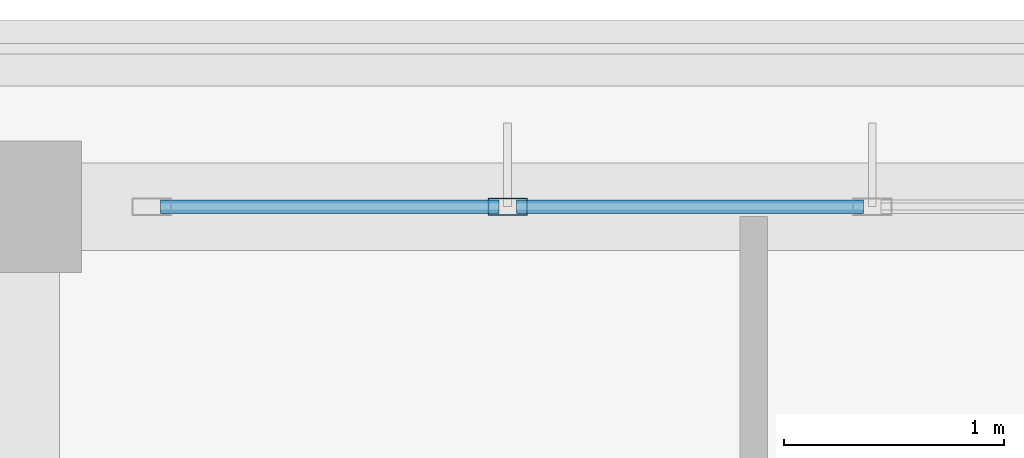
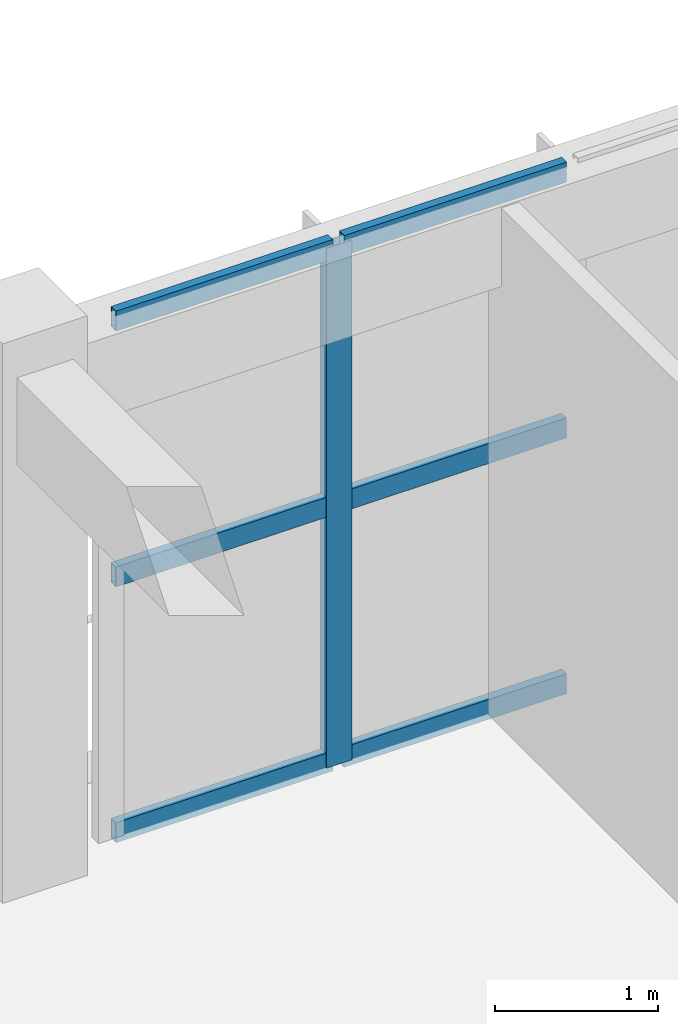
# One storey, part 10 of 56: 7 members, 1 element without a shape of its own.
"""IFC4 building model written with IfcOpenShell, lengths in metres."""

from ifc_helpers import new_model, si_unit, direction, frame, origin, origin_2d, place, context, subcontext, project, spatial, hollow_rectangle, extrude, material, layer, layer_set, material_profile, profile_set, type_object, element, aggregate, save


model = new_model("IFC4")

# Units and contexts
model_context = context("Model", 3, precision=1e-05, world=origin(), true_north=direction((0.0, 1.0)))
body_context = subcontext(model_context, "Body", "Model", "MODEL_VIEW")
ifc_project = project(units=[si_unit("LENGTHUNIT", "METRE"), si_unit("AREAUNIT", "SQUARE_METRE"), si_unit("VOLUMEUNIT", "CUBIC_METRE"), si_unit("PLANEANGLEUNIT", "RADIAN"), si_unit("MASSUNIT", "GRAM", prefix="KILO")], contexts=[model_context])

# Site, building, storey
site_placement = place(None, origin())
site = spatial("IfcSite", under=ifc_project, at=site_placement, CompositionType="ELEMENT")
building_placement = place(site_placement, origin())
building = spatial("IfcBuilding", under=site, at=building_placement, Name="Zizhar Promenade General Hospital", CompositionType="ELEMENT")
storey_placement = place(building_placement, frame((0.0, 0.0, 26.39990234375)))
storey = spatial("IfcBuildingStorey", under=building, at=storey_placement, Name="L06", CompositionType="ELEMENT", Elevation=26.39990234375)

# Curtain wall, members
ifc_material_1 = material(Name="Anodised aluminium 6063-T6 and low-E glass", Category="aluminium")
ifc_layer = layer(ifc_material_1, 0.159912109375)
ifc_layer_set = layer_set([ifc_layer], Name="Anodised aluminium 6063-T6 and low-E glass")
curtain_wall_type = type_object("IfcCurtainWallType", Name="CW-WARD-RIB", PredefinedType="NOTDEFINED", material=ifc_layer_set)
curtain_wall_placement = place(storey_placement, origin())
curtain_wall = element("IfcCurtainWall", 1, at=curtain_wall_placement, inside=storey, type_object=curtain_wall_type, Name="Ward Ribbon Curtain Wall L06-8-2", PredefinedType="NOTDEFINED")
ifc_material_2 = material(Name="Anodised aluminium 6063-T6", Category="aluminium")
ifc_material_profile_1 = material_profile(ifc_material_2, hollow_rectangle(XDim=0.080078125, YDim=0.179931640625, WallThickness=0.0048828125, at=origin_2d()))
ifc_profile_set_1 = profile_set([ifc_material_profile_1], Name="Anodised aluminium 6063-T6")
member_type_1 = type_object("IfcMemberType", Name="CWM-ALU-180x80", PredefinedType="MULLION", material=ifc_profile_set_1)
member_1_placement = place(storey_placement, frame((49.0400390625, 25.199951171875, 0.0), z_axis=(0.0, 0.0, 1.0), x_axis=(0.0, 1.0, 0.0)))
member_1 = element("IfcMember", 2, at=member_1_placement, type_object=member_type_1, Name="CW-13 mullion 2", PredefinedType="MULLION", context=body_context, shape_type="SweptSolid", body=[
    extrude(hollow_rectangle(XDim=0.080078125, YDim=0.179931640625, WallThickness=0.0048828125, at=origin_2d()), origin(), (0.0, 0.0, 1.0), 3.900146484375),
])
ifc_material_3 = material(Name="Anodised aluminium 6063-T6", Category="aluminium")
ifc_material_profile_2 = material_profile(ifc_material_3, hollow_rectangle(XDim=0.06005859375, YDim=0.14990234375, WallThickness=0.00390625, at=origin_2d()))
ifc_profile_set_2 = profile_set([ifc_material_profile_2], Name="Anodised aluminium 6063-T6")
member_type_2 = type_object("IfcMemberType", Name="CWT-ALU-150x60", PredefinedType="USERDEFINED", material=ifc_profile_set_2)
member_2_placement = place(storey_placement, frame((47.4599609375, 25.199951171875, 0.030029296875), z_axis=(1.0, 0.0, 0.0), x_axis=(0.0, 1.0, 0.0)))
member_2 = element("IfcMember", 3, at=member_2_placement, type_object=member_type_2, Name="CW-13 transom 1.1", ObjectType="TRANSOM", PredefinedType="USERDEFINED", context=body_context, shape_type="SweptSolid", body=[
    extrude(hollow_rectangle(XDim=0.06005859375, YDim=0.14990234375, WallThickness=0.00390625, at=origin_2d()), origin(), (0.0, 0.0, 1.0), 1.5400390625),
])
member_3_placement = place(storey_placement, frame((47.4599609375, 25.199951171875, 1.9501953125), z_axis=(1.0, 0.0, 0.0), x_axis=(0.0, 1.0, 0.0)))
member_3 = element("IfcMember", 4, at=member_3_placement, type_object=member_type_2, Name="CW-13 transom 1.2", ObjectType="TRANSOM", PredefinedType="USERDEFINED", context=body_context, shape_type="SweptSolid", body=[
    extrude(hollow_rectangle(XDim=0.06005859375, YDim=0.14990234375, WallThickness=0.00390625, at=origin_2d()), origin(), (0.0, 0.0, 1.0), 1.5400390625),
])
member_4_placement = place(storey_placement, frame((47.4599609375, 25.199951171875, 3.8701171875), z_axis=(1.0, 0.0, 0.0), x_axis=(0.0, 1.0, 0.0)))
member_4 = element("IfcMember", 5, at=member_4_placement, type_object=member_type_2, Name="CW-13 transom 1.3", ObjectType="TRANSOM", PredefinedType="USERDEFINED", context=body_context, shape_type="SweptSolid", body=[
    extrude(hollow_rectangle(XDim=0.06005859375, YDim=0.14990234375, WallThickness=0.00390625, at=origin_2d()), origin(), (0.0, 0.0, 1.0), 1.5400390625),
])
member_5_placement = place(storey_placement, frame((49.080078125, 25.199951171875, 0.030029296875), z_axis=(1.0, 0.0, 0.0), x_axis=(0.0, 1.0, 0.0)))
member_5 = element("IfcMember", 6, at=member_5_placement, type_object=member_type_2, Name="CW-13 transom 2.1", ObjectType="TRANSOM", PredefinedType="USERDEFINED", context=body_context, shape_type="SweptSolid", body=[
    extrude(hollow_rectangle(XDim=0.06005859375, YDim=0.14990234375, WallThickness=0.00390625, at=origin_2d()), origin(), (0.0, 0.0, 1.0), 1.579833984375),
])
member_6_placement = place(storey_placement, frame((49.080078125, 25.199951171875, 1.9501953125), z_axis=(1.0, 0.0, 0.0), x_axis=(0.0, 1.0, 0.0)))
member_6 = element("IfcMember", 7, at=member_6_placement, type_object=member_type_2, Name="CW-13 transom 2.2", ObjectType="TRANSOM", PredefinedType="USERDEFINED", context=body_context, shape_type="SweptSolid", body=[
    extrude(hollow_rectangle(XDim=0.06005859375, YDim=0.14990234375, WallThickness=0.00390625, at=origin_2d()), origin(), (0.0, 0.0, 1.0), 1.579833984375),
])
member_7_placement = place(storey_placement, frame((49.080078125, 25.199951171875, 3.8701171875), z_axis=(1.0, 0.0, 0.0), x_axis=(0.0, 1.0, 0.0)))
member_7 = element("IfcMember", 8, at=member_7_placement, type_object=member_type_2, Name="CW-13 transom 2.3", ObjectType="TRANSOM", PredefinedType="USERDEFINED", context=body_context, shape_type="SweptSolid", body=[
    extrude(hollow_rectangle(XDim=0.06005859375, YDim=0.14990234375, WallThickness=0.00390625, at=origin_2d()), origin(), (0.0, 0.0, 1.0), 1.579833984375),
])
aggregate(curtain_wall, [member_1, member_2, member_3, member_4, member_5, member_6, member_7])

save(model, "model.ifc")
